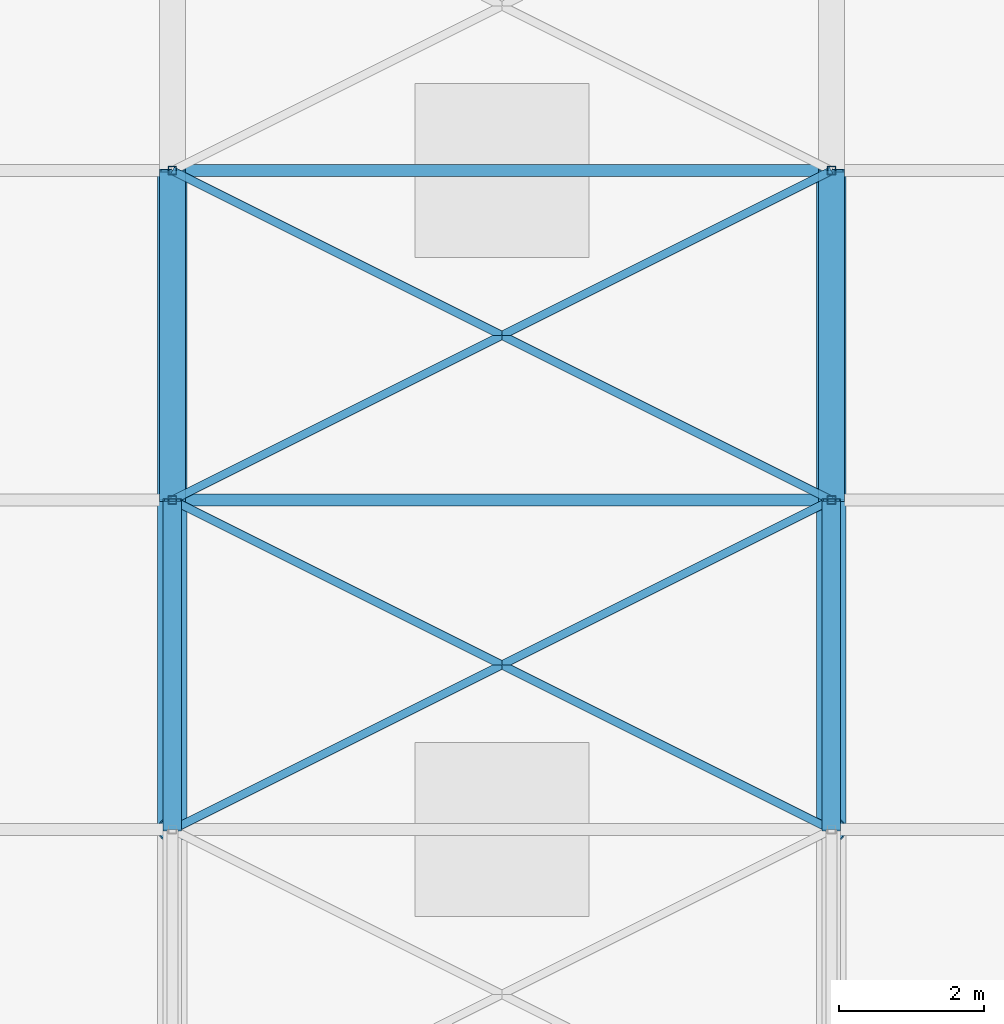
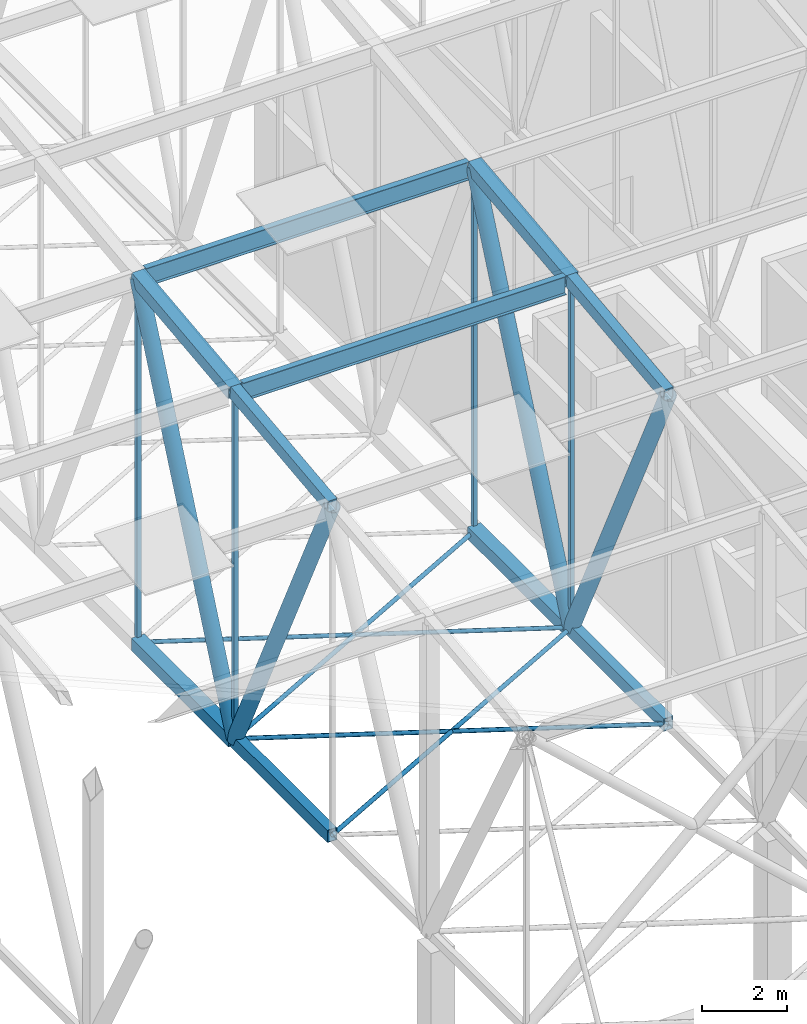
# One storey, part 120 of 500: 22 members.
"""IFC4 building model written with IfcOpenShell, lengths in metres."""

from ifc_helpers import new_model, si_unit, direction, frame, origin, origin_2d, place, context, subcontext, project, spatial, hollow_rectangle, hollow_circle, i_section, extrude, material, material_profile, profile_set, type_object, element, save


model = new_model("IFC4")

# Units and contexts
model_context = context("Model", 3, precision=1e-05, world=origin(), true_north=direction((0.0, 1.0)))
body_context = subcontext(model_context, "Body", "Model", "MODEL_VIEW")
ifc_project = project(units=[si_unit("LENGTHUNIT", "METRE"), si_unit("AREAUNIT", "SQUARE_METRE"), si_unit("VOLUMEUNIT", "CUBIC_METRE"), si_unit("PLANEANGLEUNIT", "RADIAN"), si_unit("MASSUNIT", "GRAM", prefix="KILO")], contexts=[model_context])

# Site, building, storey
site_placement = place(None, origin())
site = spatial("IfcSite", under=ifc_project, at=site_placement, CompositionType="ELEMENT")
building_placement = place(site_placement, origin())
building = spatial("IfcBuilding", under=site, at=building_placement, Name="Shirokan Park Arena", CompositionType="ELEMENT")
storey_placement = place(building_placement, frame((0.0, 0.0, 29.1201171875)))
storey = spatial("IfcBuildingStorey", under=building, at=storey_placement, Name="L06", CompositionType="ELEMENT", Elevation=29.1201171875)

# Members
ifc_material_1 = material(Name="Steel ASTM A500 Grade C", Category="steel")
ifc_material_profile_1 = material_profile(ifc_material_1, hollow_rectangle(XDim=0.25390625, YDim=0.35595703125, WallThickness=0.015869140625, at=origin_2d()), Name="HSS355.6X254X15.9")
ifc_profile_set_1 = profile_set([ifc_material_profile_1], Name="Steel ASTM A500 Grade C")
member_type_1 = type_object("IfcMemberType", Name="Bottom chord HSS355.6X254X15.9", PredefinedType="CHORD", material=ifc_profile_set_1)
for number, where, z_axis, x_axis, name in (
    (1, (91.0, 13.64990234375, 4.677001953125), (0.0, 1.0, 0.0), (-1.0, 0.0, 0.0), "Truss T11 bottom chord 6"),
    (2, (100.10009765625, 13.64990234375, 4.677001953125), (0.0, 1.0, 0.0), (-1.0, 0.0, 0.0), "Truss T12 bottom chord 6"),
):
    element("IfcMember", number, at=place(storey_placement, frame(where, z_axis=z_axis, x_axis=x_axis)), inside=storey, type_object=member_type_1, Name=name, PredefinedType="CHORD", context=body_context, shape_type="SweptSolid", body=[
        extrude(hollow_rectangle(XDim=0.25390625, YDim=0.35595703125, WallThickness=0.015869140625, at=origin_2d()), origin(), (0.0, 0.0, 1.0), 4.550048828125),
    ])
ifc_material_profile_2 = material_profile(ifc_material_1, hollow_rectangle(XDim=0.35595703125, YDim=0.35595703125, WallThickness=0.01904296875, at=origin_2d()), Name="HSS355.6X355.6X19.0")
ifc_profile_set_2 = profile_set([ifc_material_profile_2], Name="Steel ASTM A500 Grade C")
member_type_2 = type_object("IfcMemberType", Name="Bottom chord HSS355.6X355.6X19.0", PredefinedType="CHORD", material=ifc_profile_set_2)
for number, where, z_axis, x_axis, name in (
    (3, (91.0, 18.199951171875, 4.677001953125), (0.0, 1.0, 0.0), (-1.0, 0.0, 0.0), "Truss T11 bottom chord 7"),
    (4, (100.10009765625, 18.199951171875, 4.677001953125), (0.0, 1.0, 0.0), (-1.0, 0.0, 0.0), "Truss T12 bottom chord 7"),
):
    element("IfcMember", number, at=place(storey_placement, frame(where, z_axis=z_axis, x_axis=x_axis)), inside=storey, type_object=member_type_2, Name=name, PredefinedType="CHORD", context=body_context, shape_type="SweptSolid", body=[
        extrude(hollow_rectangle(XDim=0.35595703125, YDim=0.35595703125, WallThickness=0.01904296875, at=origin_2d()), origin(), (0.0, 0.0, 1.0), 4.550048828125),
    ])
ifc_material_profile_3 = material_profile(ifc_material_1, hollow_circle(Radius=0.056884765625, WallThickness=0.006103515625, at=origin_2d()), Name="HSS114.3X6")
ifc_profile_set_3 = profile_set([ifc_material_profile_3], Name="Steel ASTM A500 Grade C")
member_type_3 = type_object("IfcMemberType", Name="Plan bracing HSS114.3X6", PredefinedType="BRACE", material=ifc_profile_set_3)
for number, where, z_axis, x_axis, name in (
    (5, (91.0, 13.64990234375, 4.677001953125), (0.894427191, 0.4472135955, 0.0), (-0.4472135955, 0.894427191, 0.0), "Plan bracing bay 11 panel 6 A"),
    (6, (100.10009765625, 13.64990234375, 4.677001953125), (-0.894427191, 0.4472135955, 0.0), (-0.4472135955, -0.894427191, 0.0), "Plan bracing bay 11 panel 6 B"),
    (7, (91.0, 18.199951171875, 4.677001953125), (0.894427191, 0.4472135955, 0.0), (-0.4472135955, 0.894427191, 0.0), "Plan bracing bay 11 panel 7 A"),
    (8, (100.10009765625, 18.199951171875, 4.677001953125), (-0.894427191, 0.4472135955, 0.0), (-0.4472135955, -0.894427191, 0.0), "Plan bracing bay 11 panel 7 B"),
):
    element("IfcMember", number, at=place(storey_placement, frame(where, z_axis=z_axis, x_axis=x_axis)), inside=storey, type_object=member_type_3, Name=name, PredefinedType="BRACE", context=body_context, shape_type="SweptSolid", body=[
        extrude(hollow_circle(Radius=0.056884765625, WallThickness=0.006103515625, at=origin_2d()), origin(), (0.0, 0.0, 1.0), 10.17431640625),
    ])
ifc_material_2 = material(Name="Steel ASTM A992", Category="steel")
ifc_material_profile_4 = material_profile(ifc_material_2, i_section(OverallWidth=0.166015625, OverallDepth=0.528076171875, WebThickness=0.009765625, FlangeThickness=0.013671875, at=origin_2d()), Name="W530X74")
ifc_profile_set_4 = profile_set([ifc_material_profile_4], Name="Steel ASTM A992")
member_type_4 = type_object("IfcMemberType", Name="Purlin W530X74", PredefinedType="PURLIN", material=ifc_profile_set_4)
for number, where, z_axis, x_axis, name in (
    (9, (91.177978515625, 18.199951171875, 14.56591796875), (1.0, 0.0, 0.0), (0.0, 1.0, 0.0), "Purlin 7 bay 11"),
    (10, (91.177978515625, 22.75, 15.0859375), (1.0, 0.0, 0.0), (0.0, 1.0, 0.0), "Purlin 8 bay 11"),
):
    element("IfcMember", number, at=place(storey_placement, frame(where, z_axis=z_axis, x_axis=x_axis)), inside=storey, type_object=member_type_4, Name=name, PredefinedType="PURLIN", context=body_context, shape_type="SweptSolid", body=[
        extrude(i_section(OverallWidth=0.166015625, OverallDepth=0.528076171875, WebThickness=0.009765625, FlangeThickness=0.013671875, at=origin_2d()), origin(), (0.0, 0.0, 1.0), 8.744140625),
    ])
ifc_material_profile_5 = material_profile(ifc_material_1, hollow_rectangle(XDim=0.25390625, YDim=0.35595703125, WallThickness=0.015869140625, at=origin_2d()), Name="HSS355.6X254X15.9")
ifc_profile_set_5 = profile_set([ifc_material_profile_5], Name="Steel ASTM A500 Grade C")
member_type_5 = type_object("IfcMemberType", Name="Top chord HSS355.6X254X15.9", PredefinedType="CHORD", material=ifc_profile_set_5)
for number, where, z_axis, x_axis, name in (
    (11, (91.0, 13.64990234375, 14.101318359375), (0.0, 0.993532328996, 0.113549598152), (-1.0, 0.0, 0.0), "Truss T11 top chord 6"),
    (12, (100.10009765625, 13.64990234375, 14.101318359375), (0.0, 0.993532328996, 0.113549598152), (-1.0, 0.0, 0.0), "Truss T12 top chord 6"),
):
    element("IfcMember", number, at=place(storey_placement, frame(where, z_axis=z_axis, x_axis=x_axis)), inside=storey, type_object=member_type_5, Name=name, PredefinedType="CHORD", context=body_context, shape_type="SweptSolid", body=[
        extrude(hollow_rectangle(XDim=0.25390625, YDim=0.35595703125, WallThickness=0.015869140625, at=origin_2d()), origin(), (0.0, 0.0, 1.0), 4.57958984375),
    ])
ifc_material_profile_6 = material_profile(ifc_material_1, hollow_rectangle(XDim=0.35595703125, YDim=0.35595703125, WallThickness=0.01904296875, at=origin_2d()), Name="HSS355.6X355.6X19.0")
ifc_profile_set_6 = profile_set([ifc_material_profile_6], Name="Steel ASTM A500 Grade C")
member_type_6 = type_object("IfcMemberType", Name="Top chord HSS355.6X355.6X19.0", PredefinedType="CHORD", material=ifc_profile_set_6)
for number, where, z_axis, x_axis, name in (
    (13, (91.0, 18.199951171875, 14.621337890625), (0.0, 0.993532328996, 0.113549598152), (-1.0, 0.0, 0.0), "Truss T11 top chord 7"),
    (14, (100.10009765625, 18.199951171875, 14.621337890625), (0.0, 0.993532328996, 0.113549598152), (-1.0, 0.0, 0.0), "Truss T12 top chord 7"),
):
    element("IfcMember", number, at=place(storey_placement, frame(where, z_axis=z_axis, x_axis=x_axis)), inside=storey, type_object=member_type_6, Name=name, PredefinedType="CHORD", context=body_context, shape_type="SweptSolid", body=[
        extrude(hollow_rectangle(XDim=0.35595703125, YDim=0.35595703125, WallThickness=0.01904296875, at=origin_2d()), origin(), (0.0, 0.0, 1.0), 4.57958984375),
    ])
ifc_material_profile_7 = material_profile(ifc_material_1, hollow_circle(Radius=0.202880859375, WallThickness=0.015869140625, at=origin_2d()), Name="HSS406.4X15.9")
ifc_profile_set_7 = profile_set([ifc_material_profile_7], Name="Steel ASTM A500 Grade C")
member_type_7 = type_object("IfcMemberType", Name="Truss diagonal HSS406.4X15.9", PredefinedType="BRACE", material=ifc_profile_set_7)
member_1_placement = place(storey_placement, frame((91.0, 13.64990234375, 14.101318359375), z_axis=(0.0, 0.434778423415, -0.900537463148), x_axis=(-1.0, 0.0, 0.0)))
element("IfcMember", 15, at=member_1_placement, inside=storey, type_object=member_type_7, Name="Truss T11 diagonal 6", PredefinedType="BRACE", context=body_context, shape_type="SweptSolid", body=[
    extrude(hollow_circle(Radius=0.202880859375, WallThickness=0.015869140625, at=origin_2d()), origin(), (0.0, 0.0, 1.0), 10.46533203125),
])
member_2_placement = place(storey_placement, frame((91.0, 18.199951171875, 4.677001953125), z_axis=(0.0, 0.398750364192, 0.917059511186), x_axis=(-1.0, 0.0, 0.0)))
element("IfcMember", 16, at=member_2_placement, inside=storey, type_object=member_type_7, Name="Truss T11 diagonal 7", PredefinedType="BRACE", context=body_context, shape_type="SweptSolid", body=[
    extrude(hollow_circle(Radius=0.202880859375, WallThickness=0.015869140625, at=origin_2d()), origin(), (0.0, 0.0, 1.0), 11.410888671875),
])
member_3_placement = place(storey_placement, frame((100.10009765625, 13.64990234375, 14.101318359375), z_axis=(0.0, 0.434778423415, -0.900537463148), x_axis=(-1.0, 0.0, 0.0)))
element("IfcMember", 17, at=member_3_placement, inside=storey, type_object=member_type_7, Name="Truss T12 diagonal 6", PredefinedType="BRACE", context=body_context, shape_type="SweptSolid", body=[
    extrude(hollow_circle(Radius=0.202880859375, WallThickness=0.015869140625, at=origin_2d()), origin(), (0.0, 0.0, 1.0), 10.46533203125),
])
member_4_placement = place(storey_placement, frame((100.10009765625, 18.199951171875, 4.677001953125), z_axis=(0.0, 0.398750364192, 0.917059511186), x_axis=(-1.0, 0.0, 0.0)))
element("IfcMember", 18, at=member_4_placement, inside=storey, type_object=member_type_7, Name="Truss T12 diagonal 7", PredefinedType="BRACE", context=body_context, shape_type="SweptSolid", body=[
    extrude(hollow_circle(Radius=0.202880859375, WallThickness=0.015869140625, at=origin_2d()), origin(), (0.0, 0.0, 1.0), 11.410888671875),
])
ifc_material_profile_8 = material_profile(ifc_material_1, hollow_rectangle(XDim=0.114013671875, YDim=0.114013671875, WallThickness=0.00634765625, at=origin_2d()), Name="HSS114.3X114.3X6.4")
ifc_profile_set_8 = profile_set([ifc_material_profile_8], Name="Steel ASTM A500 Grade C")
member_type_8 = type_object("IfcMemberType", Name="Truss post HSS114.3X114.3X6.4", PredefinedType="POST", material=ifc_profile_set_8)
member_5_placement = place(storey_placement, frame((91.0, 18.199951171875, 4.677001953125), z_axis=(0.0, 0.0, 1.0), x_axis=(1.0, 0.0, 0.0)))
element("IfcMember", 19, at=member_5_placement, inside=storey, type_object=member_type_8, Name="Truss T11 post 7", PredefinedType="POST", context=body_context, shape_type="SweptSolid", body=[
    extrude(hollow_rectangle(XDim=0.114013671875, YDim=0.114013671875, WallThickness=0.00634765625, at=origin_2d()), origin(), (0.0, 0.0, 1.0), 9.9443359375),
])
member_6_placement = place(storey_placement, frame((91.0, 22.75, 4.677001953125), z_axis=(0.0, 0.0, 1.0), x_axis=(1.0, 0.0, 0.0)))
element("IfcMember", 20, at=member_6_placement, inside=storey, type_object=member_type_8, Name="Truss T11 post 8", PredefinedType="POST", context=body_context, shape_type="SweptSolid", body=[
    extrude(hollow_rectangle(XDim=0.114013671875, YDim=0.114013671875, WallThickness=0.00634765625, at=origin_2d()), origin(), (0.0, 0.0, 1.0), 10.46435546875),
])
member_7_placement = place(storey_placement, frame((100.10009765625, 18.199951171875, 4.677001953125), z_axis=(0.0, 0.0, 1.0), x_axis=(1.0, 0.0, 0.0)))
element("IfcMember", 21, at=member_7_placement, inside=storey, type_object=member_type_8, Name="Truss T12 post 7", PredefinedType="POST", context=body_context, shape_type="SweptSolid", body=[
    extrude(hollow_rectangle(XDim=0.114013671875, YDim=0.114013671875, WallThickness=0.00634765625, at=origin_2d()), origin(), (0.0, 0.0, 1.0), 9.9443359375),
])
member_8_placement = place(storey_placement, frame((100.10009765625, 22.75, 4.677001953125), z_axis=(0.0, 0.0, 1.0), x_axis=(1.0, 0.0, 0.0)))
element("IfcMember", 22, at=member_8_placement, inside=storey, type_object=member_type_8, Name="Truss T12 post 8", PredefinedType="POST", context=body_context, shape_type="SweptSolid", body=[
    extrude(hollow_rectangle(XDim=0.114013671875, YDim=0.114013671875, WallThickness=0.00634765625, at=origin_2d()), origin(), (0.0, 0.0, 1.0), 10.46435546875),
])

save(model, "model.ifc")
